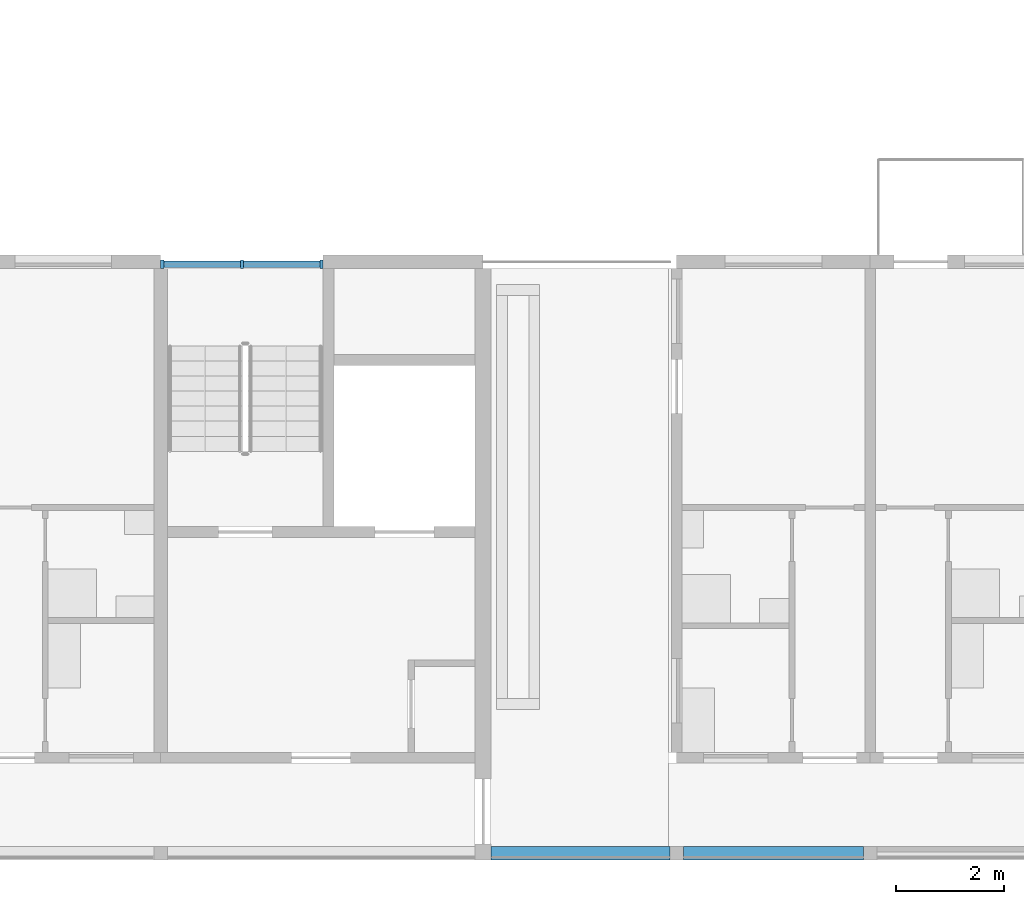
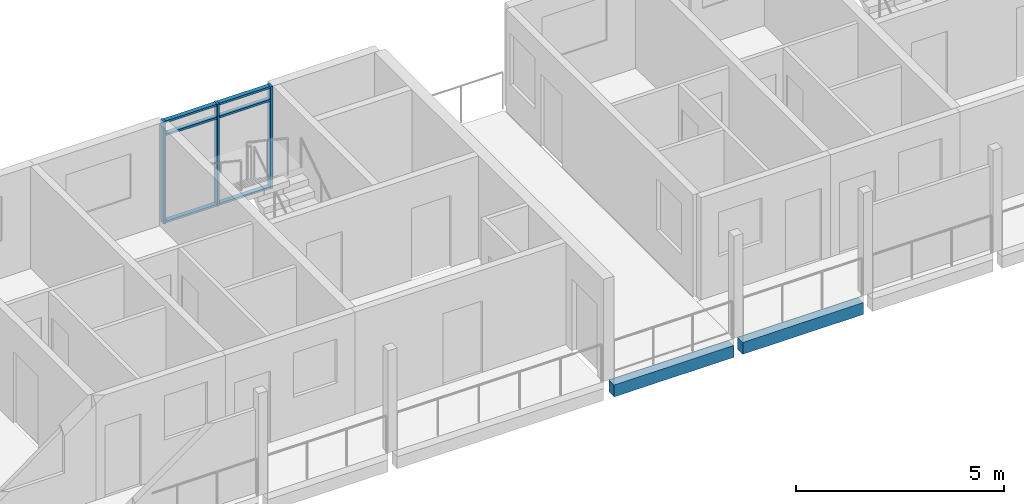
# One storey, part 11 of 64: 9 members, 2 beams, 1 element without a shape of its own.
"""IFC4 building model written with IfcOpenShell, lengths in metres."""

from ifc_helpers import new_model, si_unit, direction, frame, origin, origin_2d, place, context, subcontext, project, spatial, rectangle, extrude, material, material_profile, profile_set, type_object, element, aggregate, save


model = new_model("IFC4")

# Units and contexts
model_context = context("Model", 3, precision=1e-05, world=origin(), true_north=direction((0.0, 1.0)))
body_context = subcontext(model_context, "Body", "Model", "MODEL_VIEW")
ifc_project = project(units=[si_unit("LENGTHUNIT", "METRE"), si_unit("AREAUNIT", "SQUARE_METRE"), si_unit("VOLUMEUNIT", "CUBIC_METRE"), si_unit("PLANEANGLEUNIT", "RADIAN"), si_unit("MASSUNIT", "GRAM", prefix="KILO")], contexts=[model_context])

# Site, building, storey
site_placement = place(None, origin())
site = spatial("IfcSite", under=ifc_project, at=site_placement, CompositionType="ELEMENT")
building_placement = place(site_placement, origin())
building = spatial("IfcBuilding", under=site, at=building_placement, Name="Ridgestep Commons", CompositionType="ELEMENT")
storey_placement = place(building_placement, frame((0.0, 0.0, 33.0)))
storey = spatial("IfcBuildingStorey", under=building, at=storey_placement, Name="L11", CompositionType="ELEMENT", Elevation=33.0)

# Beams
ifc_material_1 = material(Name="Precast concrete C40/50", Category="concrete")
ifc_material_profile_1 = material_profile(ifc_material_1, rectangle(XDim=0.25, YDim=0.35009765625, at=origin_2d()), Name="PC 250x350")
ifc_profile_set_1 = profile_set([ifc_material_profile_1], Name="Precast concrete C40/50")
beam_type = type_object("IfcBeamType", Name="Loggia edge beam 250 x 350", PredefinedType="SPANDREL", material=ifc_profile_set_1)
beam_1_placement = place(storey_placement, frame((197.35009765625, 11.875, -0.375), z_axis=(1.0, 0.0, 0.0), x_axis=(0.0, 1.0, 0.0)))
element("IfcBeam", 1, at=beam_1_placement, inside=storey, type_object=beam_type, Name="Loggia edge beam D4T1 L11", PredefinedType="SPANDREL", context=body_context, shape_type="SweptSolid", body=[
    extrude(rectangle(XDim=0.25, YDim=0.35009765625, at=origin_2d()), origin(), (0.0, 0.0, 1.0), 3.324951171875),
])
beam_2_placement = place(storey_placement, frame((200.925048828125, 11.875, -0.375), z_axis=(1.0, 0.0, 0.0), x_axis=(0.0, 1.0, 0.0)))
element("IfcBeam", 2, at=beam_2_placement, inside=storey, type_object=beam_type, Name="Loggia edge beam D4T2 L11", PredefinedType="SPANDREL", context=body_context, shape_type="SweptSolid", body=[
    extrude(rectangle(XDim=0.25, YDim=0.35009765625, at=origin_2d()), origin(), (0.0, 0.0, 1.0), 3.349853515625),
])

# Curtain wall, members
ifc_material_2 = material(Name="Aluminium 6063-T6 and glass", Category="aluminium")
curtain_wall_type = type_object("IfcCurtainWallType", Name="Curtain wall stair strip", PredefinedType="NOTDEFINED", material=ifc_material_2)
curtain_wall_placement = place(storey_placement, origin())
curtain_wall = element("IfcCurtainWall", 3, at=curtain_wall_placement, inside=storey, type_object=curtain_wall_type, Name="Curtain wall D3C level 11", PredefinedType="NOTDEFINED")
ifc_material_3 = material(Name="Aluminium 6063-T6", Category="aluminium")
ifc_material_profile_2 = material_profile(ifc_material_3, rectangle(XDim=0.159912109375, YDim=0.06005859375, at=origin_2d()), Name="Mullion 60 x 160")
ifc_profile_set_2 = profile_set([ifc_material_profile_2], Name="Aluminium 6063-T6")
member_type_1 = type_object("IfcMemberType", Name="Mullion 60 x 160", PredefinedType="MULLION", material=ifc_profile_set_2)
member_1_placement = place(storey_placement, frame((191.22998046875, 22.830078125, 0.0), z_axis=(0.0, 0.0, 1.0), x_axis=(0.0, 1.0, 0.0)))
member_1 = element("IfcMember", 4, at=member_1_placement, type_object=member_type_1, Name="CW1 mullion 1", PredefinedType="MULLION", context=body_context, shape_type="SweptSolid", body=[
    extrude(rectangle(XDim=0.159912109375, YDim=0.06005859375, at=origin_2d()), origin(), (0.0, 0.0, 1.0), 3.0),
])
member_2_placement = place(storey_placement, frame((192.71240234375, 22.830078125, 0.0), z_axis=(0.0, 0.0, 1.0), x_axis=(0.0, 1.0, 0.0)))
member_2 = element("IfcMember", 5, at=member_2_placement, type_object=member_type_1, Name="CW1 mullion 2", PredefinedType="MULLION", context=body_context, shape_type="SweptSolid", body=[
    extrude(rectangle(XDim=0.159912109375, YDim=0.06005859375, at=origin_2d()), origin(), (0.0, 0.0, 1.0), 3.0),
])
member_3_placement = place(storey_placement, frame((194.195068359375, 22.830078125, 0.0), z_axis=(0.0, 0.0, 1.0), x_axis=(0.0, 1.0, 0.0)))
member_3 = element("IfcMember", 6, at=member_3_placement, type_object=member_type_1, Name="CW1 mullion 3", PredefinedType="MULLION", context=body_context, shape_type="SweptSolid", body=[
    extrude(rectangle(XDim=0.159912109375, YDim=0.06005859375, at=origin_2d()), origin(), (0.0, 0.0, 1.0), 3.0),
])
ifc_material_4 = material(Name="Aluminium 6063-T6", Category="aluminium")
ifc_material_profile_3 = material_profile(ifc_material_4, rectangle(XDim=0.1201171875, YDim=0.06005859375, at=origin_2d()), Name="Transom 60 x 120")
ifc_profile_set_3 = profile_set([ifc_material_profile_3], Name="Aluminium 6063-T6")
member_type_2 = type_object("IfcMemberType", Name="Transom 60 x 120", PredefinedType="USERDEFINED", material=ifc_profile_set_3)
member_4_placement = place(storey_placement, frame((191.260009765625, 22.830078125, 0.030029296875), z_axis=(1.0, 0.0, 0.0), x_axis=(0.0, 1.0, 0.0)))
member_4 = element("IfcMember", 7, at=member_4_placement, type_object=member_type_2, Name="CW1 transom 1.1", ObjectType="TRANSOM", PredefinedType="USERDEFINED", context=body_context, shape_type="SweptSolid", body=[
    extrude(rectangle(XDim=0.1201171875, YDim=0.06005859375, at=origin_2d()), origin(), (0.0, 0.0, 1.0), 1.422607421875),
])
member_5_placement = place(storey_placement, frame((191.260009765625, 22.830078125, 2.590087890625), z_axis=(1.0, 0.0, 0.0), x_axis=(0.0, 1.0, 0.0)))
member_5 = element("IfcMember", 8, at=member_5_placement, type_object=member_type_2, Name="CW1 transom 1.2", ObjectType="TRANSOM", PredefinedType="USERDEFINED", context=body_context, shape_type="SweptSolid", body=[
    extrude(rectangle(XDim=0.1201171875, YDim=0.06005859375, at=origin_2d()), origin(), (0.0, 0.0, 1.0), 1.422607421875),
])
member_6_placement = place(storey_placement, frame((191.260009765625, 22.830078125, 2.969970703125), z_axis=(1.0, 0.0, 0.0), x_axis=(0.0, 1.0, 0.0)))
member_6 = element("IfcMember", 9, at=member_6_placement, type_object=member_type_2, Name="CW1 transom 1.3", ObjectType="TRANSOM", PredefinedType="USERDEFINED", context=body_context, shape_type="SweptSolid", body=[
    extrude(rectangle(XDim=0.1201171875, YDim=0.06005859375, at=origin_2d()), origin(), (0.0, 0.0, 1.0), 1.422607421875),
])
member_7_placement = place(storey_placement, frame((192.742431640625, 22.830078125, 0.030029296875), z_axis=(1.0, 0.0, 0.0), x_axis=(0.0, 1.0, 0.0)))
member_7 = element("IfcMember", 10, at=member_7_placement, type_object=member_type_2, Name="CW1 transom 2.1", ObjectType="TRANSOM", PredefinedType="USERDEFINED", context=body_context, shape_type="SweptSolid", body=[
    extrude(rectangle(XDim=0.1201171875, YDim=0.06005859375, at=origin_2d()), origin(), (0.0, 0.0, 1.0), 1.422607421875),
])
member_8_placement = place(storey_placement, frame((192.742431640625, 22.830078125, 2.590087890625), z_axis=(1.0, 0.0, 0.0), x_axis=(0.0, 1.0, 0.0)))
member_8 = element("IfcMember", 11, at=member_8_placement, type_object=member_type_2, Name="CW1 transom 2.2", ObjectType="TRANSOM", PredefinedType="USERDEFINED", context=body_context, shape_type="SweptSolid", body=[
    extrude(rectangle(XDim=0.1201171875, YDim=0.06005859375, at=origin_2d()), origin(), (0.0, 0.0, 1.0), 1.422607421875),
])
member_9_placement = place(storey_placement, frame((192.742431640625, 22.830078125, 2.969970703125), z_axis=(1.0, 0.0, 0.0), x_axis=(0.0, 1.0, 0.0)))
member_9 = element("IfcMember", 12, at=member_9_placement, type_object=member_type_2, Name="CW1 transom 2.3", ObjectType="TRANSOM", PredefinedType="USERDEFINED", context=body_context, shape_type="SweptSolid", body=[
    extrude(rectangle(XDim=0.1201171875, YDim=0.06005859375, at=origin_2d()), origin(), (0.0, 0.0, 1.0), 1.422607421875),
])
aggregate(curtain_wall, [member_1, member_2, member_3, member_4, member_5, member_6, member_7, member_8, member_9])

save(model, "model.ifc")
